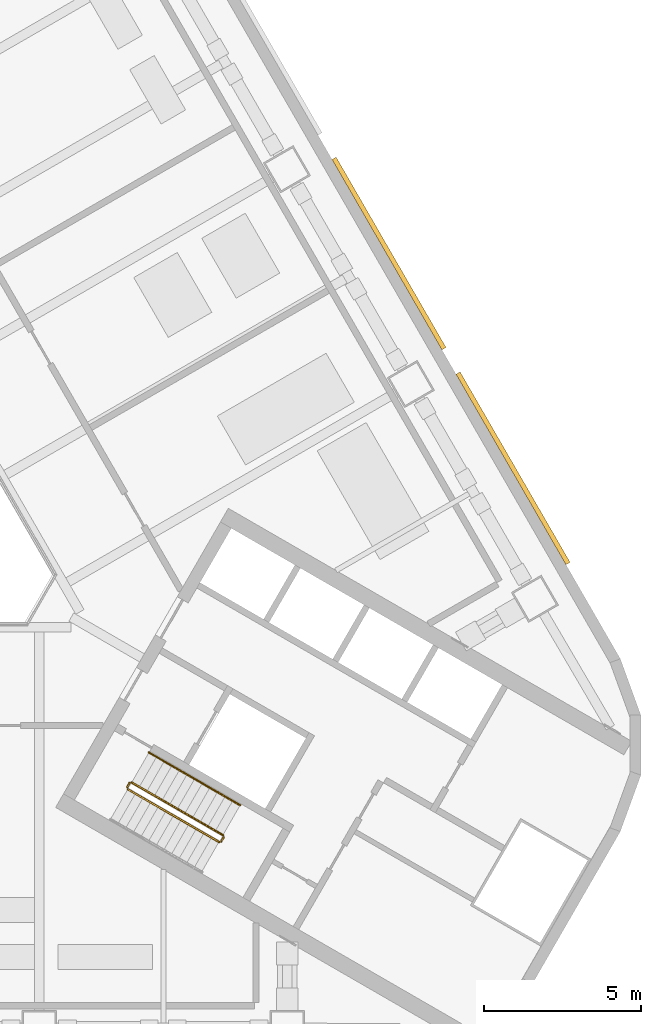
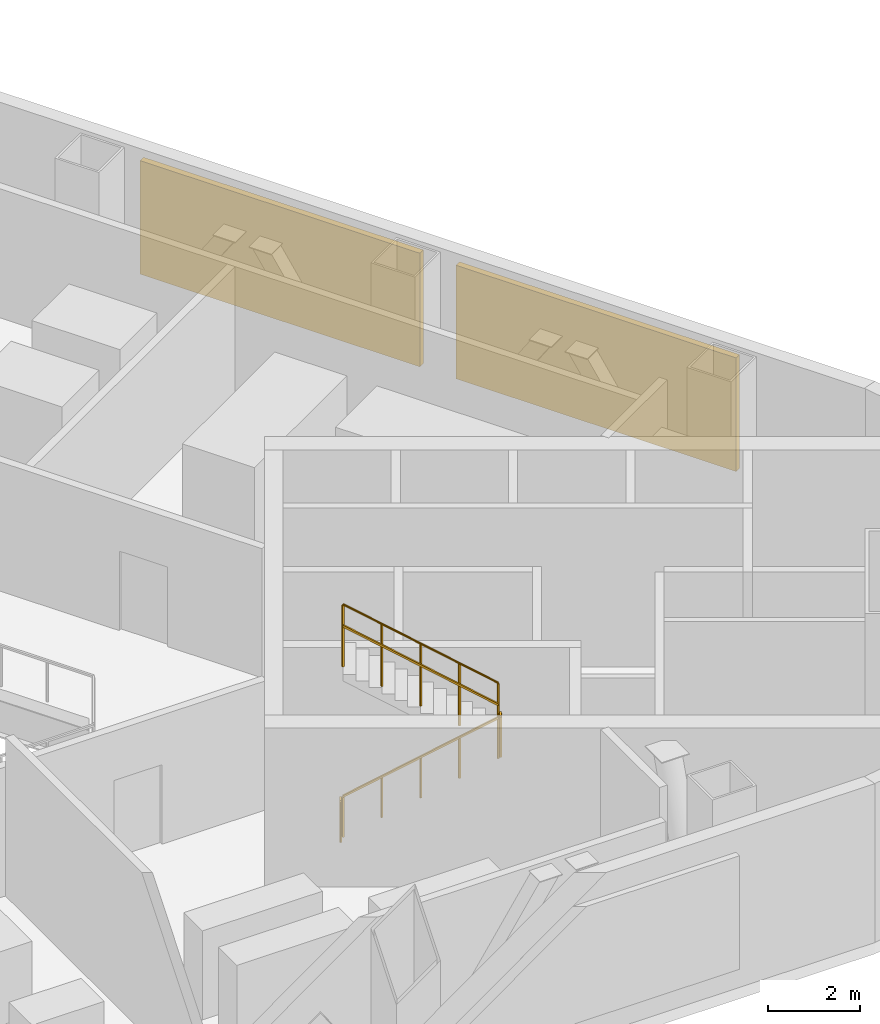
# One storey, part 13 of 15: 5 railings, 2 shading devices.
"""IFC4 building model written with IfcOpenShell, lengths in metres."""

import ifcopenshell
import ifcopenshell.guid

model = None  # the IFC model being written
_history = None  # IfcOwnerHistory: only IFC2X3 demands one
_inside = {}  # id of a spatial element -> (the spatial element, [elements in it])
_under = {}  # id of a project, library or spatial element -> (it, [spatial elements below it])
_declared = {}  # id of a project -> (the project, [libraries it declares])
_typed = {}  # id of a type object -> (the type object, [elements of that type])
_made_of = {}  # id of a material, layer set ... -> (it, [elements and type objects made of it])


def new_model(schema):
    """Start an empty IFC model of exactly this schema.

    Asked for "IFC4X3", IfcOpenShell would pick the latest addendum, in which some entities
    have other attributes; the version numbers below select the first issue.
    IFC2X3 requires an IfcOwnerHistory on every rooted entity: one is made here for all.
    """
    global model, _history
    if schema == "IFC4X3":
        model = ifcopenshell.file(schema_version=(4, 3, 0, 0))
    else:
        model = ifcopenshell.file(schema=schema)
    _inside.clear()
    _under.clear()
    _declared.clear()
    _typed.clear()
    _made_of.clear()
    _history = None
    if model.schema == "IFC2X3":
        org = make("IfcOrganization", Name="unknown")
        user = make(
            "IfcPersonAndOrganization",
            ThePerson=make("IfcPerson", FamilyName="unknown"),
            TheOrganization=org,
        )
        app = make(
            "IfcApplication",
            ApplicationDeveloper=org,
            Version="unknown",
            ApplicationFullName="unknown",
            ApplicationIdentifier="unknown",
        )
        _history = make(
            "IfcOwnerHistory",
            OwningUser=user,
            OwningApplication=app,
            ChangeAction="ADDED",
            CreationDate=0,
        )
    return model


def make(cls, **values):
    """One entity of the class cls with the attributes given. An attribute that is None is left unset."""
    return model.create_entity(
        cls, **{name: value for name, value in values.items() if value is not None}
    )


def rooted(cls, **values):
    """An entity with a GlobalId (a new one), such as an element, a storey or a relation."""
    return make(cls, GlobalId=ifcopenshell.guid.new(), OwnerHistory=_history, **values)


def si_unit(unit_type, name, prefix=None):
    """IfcSIUnit, for example si_unit("LENGTHUNIT", "METRE", prefix="MILLI")."""
    return make("IfcSIUnit", UnitType=unit_type, Prefix=prefix, Name=name)


def assignment(units):
    """IfcUnitAssignment: the units of a project."""
    return None if units is None else make("IfcUnitAssignment", Units=units)


def point(xyz):
    """IfcCartesianPoint."""
    return None if xyz is None else make("IfcCartesianPoint", Coordinates=xyz)


def direction(xyz):
    """IfcDirection."""
    return None if xyz is None else make("IfcDirection", DirectionRatios=xyz)


def frame(location, z_axis=None, x_axis=None):
    """IfcAxis2Placement3D, a coordinate frame: its origin and axes. An axis left out is left unset."""
    return make(
        "IfcAxis2Placement3D",
        Location=point(location),
        Axis=direction(z_axis),
        RefDirection=direction(x_axis),
    )


def frame_2d(location, x_axis=None):
    """IfcAxis2Placement2D, a coordinate frame in the plane: its origin and x axis."""
    return make(
        "IfcAxis2Placement2D", Location=point(location), RefDirection=direction(x_axis)
    )


def origin():
    """The frame at (0, 0, 0) with its axes left unset."""
    return frame((0.0, 0.0, 0.0))


def origin_2d():
    """The frame at (0, 0) in the plane with its x axis left unset."""
    return frame_2d((0.0, 0.0))


def place(relative_to, where):
    """IfcLocalPlacement: puts the frame where relative to a parent placement (None: the world)."""
    return make(
        "IfcLocalPlacement", PlacementRelTo=relative_to, RelativePlacement=where
    )


def context(
    kind, dimensions, precision=None, world=None, true_north=None, identifier=None
):
    """IfcGeometricRepresentationContext, for example the 3D "Model" context."""
    return make(
        "IfcGeometricRepresentationContext",
        ContextIdentifier=identifier,
        ContextType=kind,
        CoordinateSpaceDimension=dimensions,
        Precision=precision,
        WorldCoordinateSystem=world,
        TrueNorth=true_north,
    )


def subcontext(parent, identifier, kind, view, scale=None):
    """IfcGeometricRepresentationSubContext, for example "Body" below "Model"."""
    return make(
        "IfcGeometricRepresentationSubContext",
        ContextIdentifier=identifier,
        ContextType=kind,
        ParentContext=parent,
        TargetScale=scale,
        TargetView=view,
    )


def project(units=None, contexts=None):
    """IfcProject with its units and contexts."""
    return rooted(
        "IfcProject",
        Name="project",
        RepresentationContexts=contexts,
        UnitsInContext=assignment(units),
    )


def spatial(cls, under=None, at=None, **own):
    """A site, building, storey or space (cls), placed at a placement, below another one or the project."""
    s = rooted(cls, ObjectPlacement=at, **own)
    if under is not None:
        _under.setdefault(under.id(), (under, []))[1].append(s)
    return s


def profile(cls, at=None, kind="AREA", **sizes):
    """A parametric profile (cls). Its sizes go by their IFC names, for example OverallWidth=200.0."""
    return make(cls, ProfileType=kind, Position=at, **sizes)


def rectangle(**sizes):
    """IfcRectangleProfileDef."""
    return profile("IfcRectangleProfileDef", **sizes)


def circle(**sizes):
    """IfcCircleProfileDef."""
    return profile("IfcCircleProfileDef", **sizes)


def extrude(swept, where, along, depth):
    """IfcExtrudedAreaSolid: the profile swept, set in the frame where, extruded along a direction by depth."""
    return make(
        "IfcExtrudedAreaSolid",
        SweptArea=swept,
        Position=where,
        ExtrudedDirection=direction(along),
        Depth=depth,
    )


def shape(context_of_items, identifier, shape_type, items):
    """IfcShapeRepresentation: the items that make up one representation, for example the "Body"."""
    return make(
        "IfcShapeRepresentation",
        ContextOfItems=context_of_items,
        RepresentationIdentifier=identifier,
        RepresentationType=shape_type,
        Items=items,
    )


def material(Name=None, Category=None):
    """IfcMaterial."""
    return make("IfcMaterial", Name=Name, Category=Category)


def made_of(thing, what):
    """Note that an element or type object is made of a material, layer set ...; save() writes the relation."""
    if what is not None:
        _made_of.setdefault(what.id(), (what, []))[1].append(thing)
    return thing


def type_object(cls, material=None, **own):
    """A type object (cls), such as IfcWallType, which elements share."""
    return made_of(rooted(cls, **own), material)


def element(
    cls,
    number,
    at=None,
    inside=None,
    cuts=None,
    type_object=None,
    material=None,
    context=None,
    identifier="Body",
    shape_type=None,
    held_by="IfcProductDefinitionShape",
    body=None,
    shapes=None,
    **own,
):
    """One element of the class cls, such as IfcWall. Its Tag is "e" and its number.

    at: its placement. inside: the storey or other place that contains it. cuts: it is an
    opening in that element (IfcRelVoidsElement). A single representation is given by context,
    identifier, shape_type and body (its items); several are given by shapes. held_by: the class
    of the entity that holds the representations. save() writes the other relations.
    """
    e = rooted(cls, Tag="e%d" % number, ObjectPlacement=at, **own)
    if body is not None:
        shapes = [shape(context, identifier, shape_type, body)]
    if shapes is not None:
        e.Representation = make(held_by, Representations=shapes)
    if inside is not None:
        _inside.setdefault(inside.id(), (inside, []))[1].append(e)
    if cuts is not None:
        rooted(
            "IfcRelVoidsElement", RelatingBuildingElement=cuts, RelatedOpeningElement=e
        )
    if type_object is not None:
        _typed.setdefault(type_object.id(), (type_object, []))[1].append(e)
    return made_of(e, material)


def aggregate(whole, parts):
    """IfcRelAggregates: a whole, such as a stair, and the parts it consists of."""
    return rooted("IfcRelAggregates", RelatingObject=whole, RelatedObjects=parts)


def save(model, path):
    """Write the relations noted so far, then the file.

    IfcRelAggregates (storeys below a building ...), IfcRelContainedInSpatialStructure (elements
    in a storey), IfcRelDefinesByType, IfcRelAssociatesMaterial and IfcRelDeclares: one each for
    every whole, place, type object, material and project.
    """
    for whole, parts in _under.values():
        aggregate(whole, parts)
    for where, things in _inside.values():
        rooted(
            "IfcRelContainedInSpatialStructure",
            RelatedElements=things,
            RelatingStructure=where,
        )
    for kind, things in _typed.values():
        rooted("IfcRelDefinesByType", RelatedObjects=things, RelatingType=kind)
    for what, things in _made_of.values():
        rooted("IfcRelAssociatesMaterial", RelatedObjects=things, RelatingMaterial=what)
    for by, libraries in _declared.values():
        rooted("IfcRelDeclares", RelatingContext=by, RelatedDefinitions=libraries)
    model.write(path)


model = new_model("IFC4")

# Units and contexts
model_context = context("Model", 3, precision=1e-05, world=origin(), true_north=direction((0.0, 1.0)))
body_context = subcontext(model_context, "Body", "Model", "MODEL_VIEW")
ifc_project = project(units=[si_unit("LENGTHUNIT", "METRE"), si_unit("AREAUNIT", "SQUARE_METRE"), si_unit("VOLUMEUNIT", "CUBIC_METRE"), si_unit("PLANEANGLEUNIT", "RADIAN"), si_unit("MASSUNIT", "GRAM", prefix="KILO")], contexts=[model_context])

# Site, building, storey
site_placement = place(None, origin())
site = spatial("IfcSite", under=ifc_project, at=site_placement, CompositionType="ELEMENT")
building_placement = place(site_placement, origin())
building = spatial("IfcBuilding", under=site, at=building_placement, Name="Apuvela Tower Hotel", CompositionType="ELEMENT")
storey_placement = place(building_placement, frame((0.0, 0.0, 37.5)))
storey = spatial("IfcBuildingStorey", under=building, at=storey_placement, Name="L06 Plant", CompositionType="ELEMENT", Elevation=37.5)

# Railings
ifc_material_1 = material(Name="Steel S275 balustrade", Category="steel")
railing_type_1 = type_object("IfcRailingType", Name="COR-GUARD-1100", PredefinedType="GUARDRAIL", material=ifc_material_1)
railing_1_placement = place(storey_placement, frame((10.718994140625, -10.63427734375, 0.173095703125)))
element("IfcRailing", 1, at=railing_1_placement, inside=storey, type_object=railing_type_1, Name="L06 Plant ST3 stair guard 1", PredefinedType="GUARDRAIL", context=body_context, shape_type="SweptSolid", body=[
    extrude(rectangle(XDim=0.048095703125, YDim=0.048095703125, at=origin_2d()), frame((0.0, 0.0, 1.076171875), z_axis=(0.736667954249, -0.425288379326, 0.525785240943), x_axis=(0.499976138585, 0.866039179741, 0.0)), (0.0, 0.0, 1.0), 3.9501953125),
    extrude(rectangle(XDim=0.0419921875, YDim=0.0419921875, at=origin_2d()), origin(), (0.0, 0.0, 1.0), 1.052001953125),
    extrude(rectangle(XDim=0.0419921875, YDim=0.0419921875, at=origin_2d()), frame((0.7275390625, -0.419921875, 0.519287109375)), (0.0, 0.0, 1.0), 1.052001953125),
    extrude(rectangle(XDim=0.0419921875, YDim=0.0419921875, at=origin_2d()), frame((1.455078125, -0.83984375, 1.03857421875)), (0.0, 0.0, 1.0), 1.052001953125),
    extrude(rectangle(XDim=0.0419921875, YDim=0.0419921875, at=origin_2d()), frame((2.182373046875, -1.260009765625, 1.5576171875)), (0.0, 0.0, 1.0), 1.052001953125),
    extrude(rectangle(XDim=0.0419921875, YDim=0.0419921875, at=origin_2d()), frame((2.909912109375, -1.679931640625, 2.076904296875)), (0.0, 0.0, 1.0), 1.052001953125),
])
railing_2_placement = place(storey_placement, frame((13.697021484375, -12.2958984375, 2.25)))
element("IfcRailing", 2, at=railing_2_placement, inside=storey, type_object=railing_type_1, Name="L06 Plant ST3 stair guard 2", PredefinedType="GUARDRAIL", context=body_context, shape_type="SweptSolid", body=[
    extrude(rectangle(XDim=0.048095703125, YDim=0.048095703125, at=origin_2d()), frame((0.0, 0.0, 1.076171875), z_axis=(0.501036270542, 0.865426285481, 0.0), x_axis=(-0.865426285481, 0.501036270542, 0.0)), (0.0, 0.0, 1.0), 0.150146484375),
    extrude(rectangle(XDim=0.0419921875, YDim=0.0419921875, at=origin_2d()), origin(), (0.0, 0.0, 1.0), 1.052001953125),
    extrude(rectangle(XDim=0.0419921875, YDim=0.0419921875, at=origin_2d()), frame((0.0751953125, 0.1298828125, 0.0)), (0.0, 0.0, 1.0), 1.052001953125),
])
railing_3_placement = place(storey_placement, frame((13.75390625, -12.09765625, 2.423095703125)))
element("IfcRailing", 3, at=railing_3_placement, inside=storey, type_object=railing_type_1, Name="L06 Plant ST3 stair guard 3", PredefinedType="GUARDRAIL", context=body_context, shape_type="SweptSolid", body=[
    extrude(rectangle(XDim=0.048095703125, YDim=0.048095703125, at=origin_2d()), frame((0.0, 0.0, 1.076171875), z_axis=(-0.736667954249, 0.425288379326, 0.525785240943), x_axis=(-0.499976138585, -0.866039179741, 0.0)), (0.0, 0.0, 1.0), 3.9501953125),
    extrude(rectangle(XDim=0.0419921875, YDim=0.0419921875, at=origin_2d()), origin(), (0.0, 0.0, 1.0), 1.052001953125),
    extrude(rectangle(XDim=0.0419921875, YDim=0.0419921875, at=origin_2d()), frame((-0.7275390625, 0.419921875, 0.519287109375)), (0.0, 0.0, 1.0), 1.052001953125),
    extrude(rectangle(XDim=0.0419921875, YDim=0.0419921875, at=origin_2d()), frame((-1.455078125, 0.83984375, 1.03857421875)), (0.0, 0.0, 1.0), 1.052001953125),
    extrude(rectangle(XDim=0.0419921875, YDim=0.0419921875, at=origin_2d()), frame((-2.182373046875, 1.260009765625, 1.5576171875)), (0.0, 0.0, 1.0), 1.052001953125),
    extrude(rectangle(XDim=0.0419921875, YDim=0.0419921875, at=origin_2d()), frame((-2.909912109375, 1.679931640625, 2.076904296875)), (0.0, 0.0, 1.0), 1.052001953125),
])
railing_4_placement = place(storey_placement, frame((10.70068359375, -10.56591796875, 0.0)))
element("IfcRailing", 4, at=railing_4_placement, inside=storey, type_object=railing_type_1, Name="L06 Plant ST3 stair guard 4", PredefinedType="GUARDRAIL", context=body_context, shape_type="SweptSolid", body=[
    extrude(rectangle(XDim=0.048095703125, YDim=0.048095703125, at=origin_2d()), frame((0.0, 0.0, 1.076171875), z_axis=(0.499816412211, 0.866131372301, 0.0), x_axis=(-0.866131372301, 0.499816412211, 0.0)), (0.0, 0.0, 1.0), 0.14990234375),
    extrude(rectangle(XDim=0.0419921875, YDim=0.0419921875, at=origin_2d()), origin(), (0.0, 0.0, 1.0), 1.052001953125),
    extrude(rectangle(XDim=0.0419921875, YDim=0.0419921875, at=origin_2d()), frame((0.074951171875, 0.1298828125, 0.0)), (0.0, 0.0, 1.0), 1.052001953125),
])
ifc_material_2 = material(Name="Stainless steel 316 handrail", Category="steel")
railing_type_2 = type_object("IfcRailingType", Name="COR-HANDRAIL-900", PredefinedType="HANDRAIL", material=ifc_material_2)
railing_5_placement = place(storey_placement, frame((14.3037109375, -11.14501953125, 2.423095703125)))
element("IfcRailing", 5, at=railing_5_placement, inside=storey, type_object=railing_type_2, Name="L06 Plant ST3 stair handrail 2", PredefinedType="HANDRAIL", context=body_context, shape_type="SweptSolid", body=[
    extrude(circle(Radius=0.02392578125, at=origin_2d()), frame((0.0, 0.0, 0.8759765625), z_axis=(-0.736639687092, 0.425307743487, 0.525809180911), x_axis=(-0.500007602105, -0.866021014662, 0.0)), (0.0, 0.0, 1.0), 3.949951171875),
    extrude(rectangle(XDim=0.0419921875, YDim=0.0419921875, at=origin_2d()), origin(), (0.0, 0.0, 1.0), 0.851806640625),
    extrude(rectangle(XDim=0.0419921875, YDim=0.0419921875, at=origin_2d()), frame((-0.7275390625, 0.419921875, 0.519287109375)), (0.0, 0.0, 1.0), 0.851806640625),
    extrude(rectangle(XDim=0.0419921875, YDim=0.0419921875, at=origin_2d()), frame((-1.454833984375, 0.83984375, 1.03857421875)), (0.0, 0.0, 1.0), 0.851806640625),
    extrude(rectangle(XDim=0.0419921875, YDim=0.0419921875, at=origin_2d()), frame((-2.18212890625, 1.260009765625, 1.5576171875)), (0.0, 0.0, 1.0), 0.851806640625),
    extrude(rectangle(XDim=0.0419921875, YDim=0.0419921875, at=origin_2d()), frame((-2.90966796875, 1.679931640625, 2.076904296875)), (0.0, 0.0, 1.0), 0.851806640625),
])

# Shading devices
ifc_material_3 = material(Name="Aluminium 6063-T6, black anodised louvre blades", Category="aluminium")
shading_device_type = type_object("IfcShadingDeviceType", Name="ENV-LOUVRE-SCREEN", PredefinedType="USERDEFINED", material=ifc_material_3)
for number, where, z_axis, x_axis, name in (
    (6, (22.989990234375, -0.409912109375, 0.60009765625), (0.0, 0.0, 1.0), (-0.5, 0.866025403784, 0.0), "Plant louvre NE5"),
    (7, (19.0400390625, 6.431640625, 0.60009765625), (0.0, 0.0, 1.0), (-0.5, 0.866025403784, 0.0), "Plant louvre NE6"),
):
    element("IfcShadingDevice", number, at=place(storey_placement, frame(where, z_axis=z_axis, x_axis=x_axis)), inside=storey, type_object=shading_device_type, Name=name, ObjectType="LOUVRE", PredefinedType="USERDEFINED", context=body_context, shape_type="SweptSolid", body=[
        extrude(rectangle(XDim=7.0, YDim=0.14990234375, at=origin_2d()), origin(), (0.0, 0.0, 1.0), 3.0),
    ])

save(model, "model.ifc")
